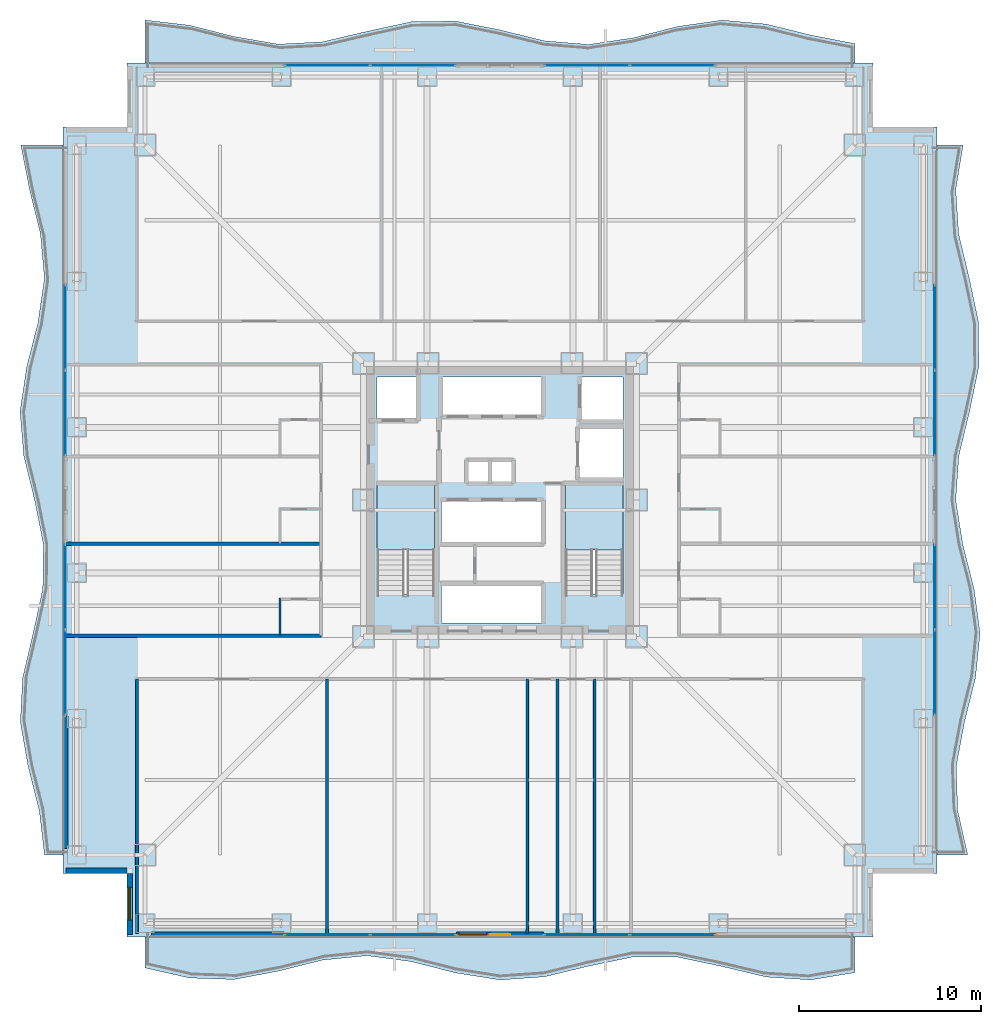
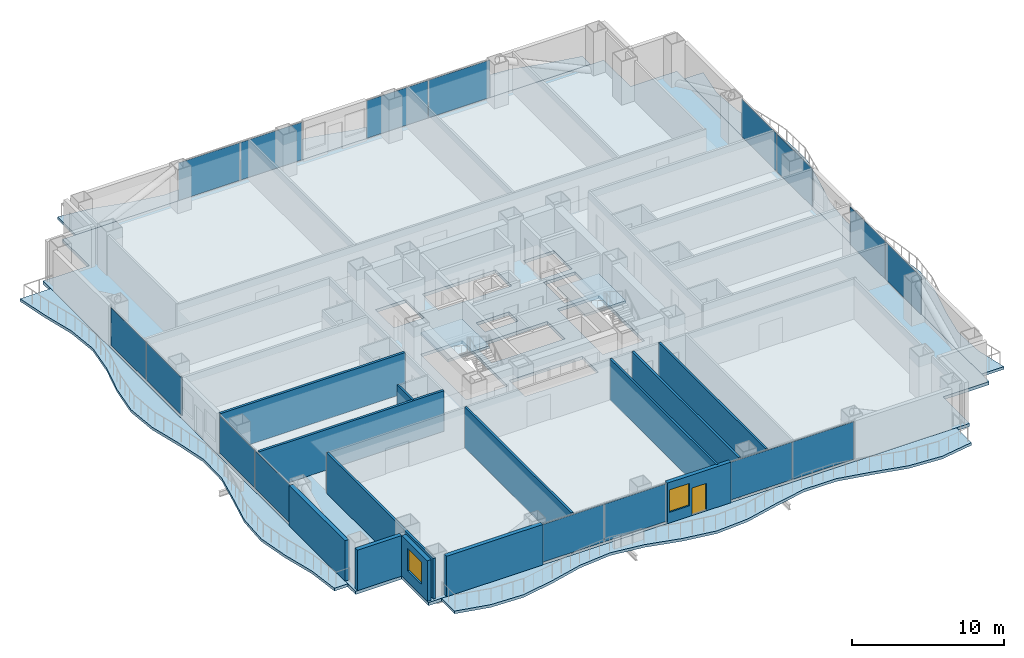
# One storey, part 13 of 24: 16 plates, 13 walls, 7 slabs, 2 windows, 1 door, 3 openings, 10 elements without a shape of their own.
"""IFC4 building model written with IfcOpenShell, lengths in metres."""

from ifc_helpers import new_model, si_unit, direction, frame, frame_2d, origin, origin_2d, place, context, subcontext, project, spatial, polyline, rectangle, outline, extrude, material, layer, layer_set, type_object, element, fill, aggregate, save


model = new_model("IFC4")

# Units and contexts
model_context = context("Model", 3, precision=1e-05, world=origin(), true_north=direction((0.0, 1.0)))
body_context = subcontext(model_context, "Body", "Model", "MODEL_VIEW")
ifc_project = project(units=[si_unit("LENGTHUNIT", "METRE"), si_unit("AREAUNIT", "SQUARE_METRE"), si_unit("VOLUMEUNIT", "CUBIC_METRE"), si_unit("PLANEANGLEUNIT", "RADIAN"), si_unit("MASSUNIT", "GRAM", prefix="KILO")], contexts=[model_context])

# Site, building, storey
site_placement = place(None, origin())
site = spatial("IfcSite", under=ifc_project, at=site_placement, CompositionType="ELEMENT")
building_placement = place(site_placement, origin())
building = spatial("IfcBuilding", under=site, at=building_placement, Name="Trevonay Congress Spire", CompositionType="ELEMENT")
storey_placement = place(building_placement, frame((0.0, 0.0, 55.0)))
storey = spatial("IfcBuildingStorey", under=building, at=storey_placement, Name="L13", CompositionType="ELEMENT", Elevation=55.0)

# Curtain wall, plates
ifc_material_1 = material(Name="Pale Anodised Aluminium EN AW-6063-T6", Category="aluminium")
ifc_layer_1 = layer(ifc_material_1, 0.179931640625, Name="Pale Anodised Aluminium EN AW-6063-T6")
ifc_layer_set_1 = layer_set([ifc_layer_1], Name="Pale Anodised Aluminium EN AW-6063-T6")
curtain_wall_type = type_object("IfcCurtainWallType", Name="CW-SYS02-HOTEL-PALE-METAL", PredefinedType="NOTDEFINED", material=ifc_layer_set_1)
curtain_wall_1_placement = place(storey_placement, origin())
curtain_wall_1 = element("IfcCurtainWall", 1, at=curtain_wall_1_placement, inside=storey, type_object=curtain_wall_type, Name="L13 SA unitised curtain wall", PredefinedType="NOTDEFINED")
ifc_material_2 = material(Name="Insulated Low-E Vision Glass IGU", Category="glass")
ifc_layer_2 = layer(ifc_material_2, 0.035888671875, Name="Insulated Low-E Vision Glass IGU")
ifc_layer_set_2 = layer_set([ifc_layer_2], Name="Insulated Low-E Vision Glass IGU")
plate_type = type_object("IfcPlateType", Name="CW-PANEL-IGU36-SILVER", PredefinedType="CURTAIN_PANEL", material=ifc_layer_set_2)
plate_1_placement = place(storey_placement, frame((-9.472412109375, -23.8798828125, 0.1201171875), z_axis=(0.0, 0.0, 1.0), x_axis=(1.0, 0.0, 0.0)))
plate_1 = element("IfcPlate", 2, at=plate_1_placement, type_object=plate_type, Name="CW02 panel 1.1", PredefinedType="CURTAIN_PANEL", context=body_context, shape_type="SweptSolid", body=[
    extrude(rectangle(XDim=4.635009765625, YDim=0.035888671875, at=origin_2d()), origin(), (0.0, 0.0, 1.0), 3.010009765625),
])
plate_2_placement = place(storey_placement, frame((-4.777587890625, -23.8798828125, 0.1201171875), z_axis=(0.0, 0.0, 1.0), x_axis=(1.0, 0.0, 0.0)))
plate_2 = element("IfcPlate", 3, at=plate_2_placement, type_object=plate_type, Name="CW02 panel 2.1", PredefinedType="CURTAIN_PANEL", context=body_context, shape_type="SweptSolid", body=[
    extrude(rectangle(XDim=4.635009765625, YDim=0.035888671875, at=origin_2d()), origin(), (0.0, 0.0, 1.0), 3.010009765625),
])
aggregate(curtain_wall_1, [plate_1, plate_2])

curtain_wall_2_placement = place(storey_placement, origin())
curtain_wall_2 = element("IfcCurtainWall", 4, at=curtain_wall_2_placement, inside=storey, type_object=curtain_wall_type, Name="L13 SB unitised curtain wall", PredefinedType="NOTDEFINED")
plate_3_placement = place(storey_placement, frame((4.777587890625, -23.8798828125, 0.1201171875), z_axis=(0.0, 0.0, 1.0), x_axis=(1.0, 0.0, 0.0)))
plate_3 = element("IfcPlate", 5, at=plate_3_placement, type_object=plate_type, Name="CW02 panel 1.1", PredefinedType="CURTAIN_PANEL", context=body_context, shape_type="SweptSolid", body=[
    extrude(rectangle(XDim=4.635009765625, YDim=0.035888671875, at=origin_2d()), origin(), (0.0, 0.0, 1.0), 3.010009765625),
])
plate_4_placement = place(storey_placement, frame((9.472412109375, -23.8798828125, 0.1201171875), z_axis=(0.0, 0.0, 1.0), x_axis=(1.0, 0.0, 0.0)))
plate_4 = element("IfcPlate", 6, at=plate_4_placement, type_object=plate_type, Name="CW02 panel 2.1", PredefinedType="CURTAIN_PANEL", context=body_context, shape_type="SweptSolid", body=[
    extrude(rectangle(XDim=4.635009765625, YDim=0.035888671875, at=origin_2d()), origin(), (0.0, 0.0, 1.0), 3.010009765625),
])
aggregate(curtain_wall_2, [plate_3, plate_4])

curtain_wall_3_placement = place(storey_placement, origin())
curtain_wall_3 = element("IfcCurtainWall", 7, at=curtain_wall_3_placement, inside=storey, type_object=curtain_wall_type, Name="L13 NA unitised curtain wall", PredefinedType="NOTDEFINED")
plate_5_placement = place(storey_placement, frame((-9.472412109375, 23.8798828125, 0.1201171875), z_axis=(0.0, 0.0, 1.0), x_axis=(1.0, 0.0, 0.0)))
plate_5 = element("IfcPlate", 8, at=plate_5_placement, type_object=plate_type, Name="CW02 panel 1.1", PredefinedType="CURTAIN_PANEL", context=body_context, shape_type="SweptSolid", body=[
    extrude(rectangle(XDim=4.635009765625, YDim=0.035888671875, at=origin_2d()), origin(), (0.0, 0.0, 1.0), 3.010009765625),
])
plate_6_placement = place(storey_placement, frame((-4.777587890625, 23.8798828125, 0.1201171875), z_axis=(0.0, 0.0, 1.0), x_axis=(1.0, 0.0, 0.0)))
plate_6 = element("IfcPlate", 9, at=plate_6_placement, type_object=plate_type, Name="CW02 panel 2.1", PredefinedType="CURTAIN_PANEL", context=body_context, shape_type="SweptSolid", body=[
    extrude(rectangle(XDim=4.635009765625, YDim=0.035888671875, at=origin_2d()), origin(), (0.0, 0.0, 1.0), 3.010009765625),
])
aggregate(curtain_wall_3, [plate_5, plate_6])

curtain_wall_4_placement = place(storey_placement, origin())
curtain_wall_4 = element("IfcCurtainWall", 10, at=curtain_wall_4_placement, inside=storey, type_object=curtain_wall_type, Name="L13 NB unitised curtain wall", PredefinedType="NOTDEFINED")
plate_7_placement = place(storey_placement, frame((4.777587890625, 23.8798828125, 0.1201171875), z_axis=(0.0, 0.0, 1.0), x_axis=(1.0, 0.0, 0.0)))
plate_7 = element("IfcPlate", 11, at=plate_7_placement, type_object=plate_type, Name="CW02 panel 1.1", PredefinedType="CURTAIN_PANEL", context=body_context, shape_type="SweptSolid", body=[
    extrude(rectangle(XDim=4.635009765625, YDim=0.035888671875, at=origin_2d()), origin(), (0.0, 0.0, 1.0), 3.010009765625),
])
plate_8_placement = place(storey_placement, frame((9.472412109375, 23.8798828125, 0.1201171875), z_axis=(0.0, 0.0, 1.0), x_axis=(1.0, 0.0, 0.0)))
plate_8 = element("IfcPlate", 12, at=plate_8_placement, type_object=plate_type, Name="CW02 panel 2.1", PredefinedType="CURTAIN_PANEL", context=body_context, shape_type="SweptSolid", body=[
    extrude(rectangle(XDim=4.635009765625, YDim=0.035888671875, at=origin_2d()), origin(), (0.0, 0.0, 1.0), 3.010009765625),
])
aggregate(curtain_wall_4, [plate_7, plate_8])

curtain_wall_5_placement = place(storey_placement, origin())
curtain_wall_5 = element("IfcCurtainWall", 13, at=curtain_wall_5_placement, inside=storey, type_object=curtain_wall_type, Name="L13 WA unitised curtain wall", PredefinedType="NOTDEFINED")
plate_9_placement = place(storey_placement, frame((-23.8798828125, -9.472412109375, 0.1201171875), z_axis=(0.0, 0.0, 1.0), x_axis=(0.0, 1.0, 0.0)))
plate_9 = element("IfcPlate", 14, at=plate_9_placement, type_object=plate_type, Name="CW02 panel 1.1", PredefinedType="CURTAIN_PANEL", context=body_context, shape_type="SweptSolid", body=[
    extrude(rectangle(XDim=4.635009765625, YDim=0.035888671875, at=origin_2d()), origin(), (0.0, 0.0, 1.0), 3.010009765625),
])
plate_10_placement = place(storey_placement, frame((-23.8798828125, -4.777587890625, 0.1201171875), z_axis=(0.0, 0.0, 1.0), x_axis=(0.0, 1.0, 0.0)))
plate_10 = element("IfcPlate", 15, at=plate_10_placement, type_object=plate_type, Name="CW02 panel 2.1", PredefinedType="CURTAIN_PANEL", context=body_context, shape_type="SweptSolid", body=[
    extrude(rectangle(XDim=4.635009765625, YDim=0.035888671875, at=origin_2d()), origin(), (0.0, 0.0, 1.0), 3.010009765625),
])
aggregate(curtain_wall_5, [plate_9, plate_10])

curtain_wall_6_placement = place(storey_placement, origin())
curtain_wall_6 = element("IfcCurtainWall", 16, at=curtain_wall_6_placement, inside=storey, type_object=curtain_wall_type, Name="L13 WB unitised curtain wall", PredefinedType="NOTDEFINED")
plate_11_placement = place(storey_placement, frame((-23.8798828125, 4.777587890625, 0.1201171875), z_axis=(0.0, 0.0, 1.0), x_axis=(0.0, 1.0, 0.0)))
plate_11 = element("IfcPlate", 17, at=plate_11_placement, type_object=plate_type, Name="CW02 panel 1.1", PredefinedType="CURTAIN_PANEL", context=body_context, shape_type="SweptSolid", body=[
    extrude(rectangle(XDim=4.635009765625, YDim=0.035888671875, at=origin_2d()), origin(), (0.0, 0.0, 1.0), 3.010009765625),
])
plate_12_placement = place(storey_placement, frame((-23.8798828125, 9.472412109375, 0.1201171875), z_axis=(0.0, 0.0, 1.0), x_axis=(0.0, 1.0, 0.0)))
plate_12 = element("IfcPlate", 18, at=plate_12_placement, type_object=plate_type, Name="CW02 panel 2.1", PredefinedType="CURTAIN_PANEL", context=body_context, shape_type="SweptSolid", body=[
    extrude(rectangle(XDim=4.635009765625, YDim=0.035888671875, at=origin_2d()), origin(), (0.0, 0.0, 1.0), 3.010009765625),
])
aggregate(curtain_wall_6, [plate_11, plate_12])

curtain_wall_7_placement = place(storey_placement, origin())
curtain_wall_7 = element("IfcCurtainWall", 19, at=curtain_wall_7_placement, inside=storey, type_object=curtain_wall_type, Name="L13 EA unitised curtain wall", PredefinedType="NOTDEFINED")
plate_13_placement = place(storey_placement, frame((23.8798828125, -9.472412109375, 0.1201171875), z_axis=(0.0, 0.0, 1.0), x_axis=(0.0, 1.0, 0.0)))
plate_13 = element("IfcPlate", 20, at=plate_13_placement, type_object=plate_type, Name="CW02 panel 1.1", PredefinedType="CURTAIN_PANEL", context=body_context, shape_type="SweptSolid", body=[
    extrude(rectangle(XDim=4.635009765625, YDim=0.035888671875, at=origin_2d()), origin(), (0.0, 0.0, 1.0), 3.010009765625),
])
plate_14_placement = place(storey_placement, frame((23.8798828125, -4.777587890625, 0.1201171875), z_axis=(0.0, 0.0, 1.0), x_axis=(0.0, 1.0, 0.0)))
plate_14 = element("IfcPlate", 21, at=plate_14_placement, type_object=plate_type, Name="CW02 panel 2.1", PredefinedType="CURTAIN_PANEL", context=body_context, shape_type="SweptSolid", body=[
    extrude(rectangle(XDim=4.635009765625, YDim=0.035888671875, at=origin_2d()), origin(), (0.0, 0.0, 1.0), 3.010009765625),
])
aggregate(curtain_wall_7, [plate_13, plate_14])

curtain_wall_8_placement = place(storey_placement, origin())
curtain_wall_8 = element("IfcCurtainWall", 22, at=curtain_wall_8_placement, inside=storey, type_object=curtain_wall_type, Name="L13 EB unitised curtain wall", PredefinedType="NOTDEFINED")
plate_15_placement = place(storey_placement, frame((23.8798828125, 4.777587890625, 0.1201171875), z_axis=(0.0, 0.0, 1.0), x_axis=(0.0, 1.0, 0.0)))
plate_15 = element("IfcPlate", 23, at=plate_15_placement, type_object=plate_type, Name="CW02 panel 1.1", PredefinedType="CURTAIN_PANEL", context=body_context, shape_type="SweptSolid", body=[
    extrude(rectangle(XDim=4.635009765625, YDim=0.035888671875, at=origin_2d()), origin(), (0.0, 0.0, 1.0), 3.010009765625),
])
plate_16_placement = place(storey_placement, frame((23.8798828125, 9.472412109375, 0.1201171875), z_axis=(0.0, 0.0, 1.0), x_axis=(0.0, 1.0, 0.0)))
plate_16 = element("IfcPlate", 24, at=plate_16_placement, type_object=plate_type, Name="CW02 panel 2.1", PredefinedType="CURTAIN_PANEL", context=body_context, shape_type="SweptSolid", body=[
    extrude(rectangle(XDim=4.635009765625, YDim=0.035888671875, at=origin_2d()), origin(), (0.0, 0.0, 1.0), 3.010009765625),
])
aggregate(curtain_wall_8, [plate_15, plate_16])

# Stair, slab
ifc_material_3 = material(Name="Concrete C40/50", Category="concrete")
stair_type_1 = type_object("IfcStairType", Name="STR-ST-1", PredefinedType="HALF_TURN_STAIR", material=ifc_material_3)
stair_1_placement = place(storey_placement, origin())
stair_1 = element("IfcStair", 25, at=stair_1_placement, inside=storey, type_object=stair_type_1, Name="L13 Protected Exit Stair ST-1", PredefinedType="HALF_TURN_STAIR")
ifc_layer_3 = layer(ifc_material_3, 0.199951171875, Name="Concrete C40/50")
ifc_layer_set_3 = layer_set([ifc_layer_3], Name="Concrete C40/50")
slab_type_1 = type_object("IfcSlabType", Name="SLB-STAIR-LAND-200", PredefinedType="LANDING", material=ifc_layer_set_3)
slab_1_placement = place(storey_placement, frame((0.0, 0.0, 1.550048828125)))
slab_1 = element("IfcSlab", 26, at=slab_1_placement, type_object=slab_type_1, Name="ST-1 landing 1", PredefinedType="LANDING", context=body_context, shape_type="SweptSolid", body=[
    extrude(outline(polyline([(-3.60009765625, -2.72998046875), (-3.60009765625, 0.85009765625), (-6.75, 0.85009765625), (-6.75, -2.72998046875), (-3.60009765625, -2.72998046875)])), origin(), (0.0, 0.0, 1.0), 0.199951171875),
])
aggregate(stair_1, [slab_1])

stair_type_2 = type_object("IfcStairType", Name="STR-ST-2", PredefinedType="HALF_TURN_STAIR", material=ifc_material_3)
stair_2_placement = place(storey_placement, origin())
stair_2 = element("IfcStair", 27, at=stair_2_placement, inside=storey, type_object=stair_type_2, Name="L13 Protected Exit Stair ST-2", PredefinedType="HALF_TURN_STAIR")
slab_2_placement = place(storey_placement, frame((0.0, 0.0, 1.550048828125)))
slab_2 = element("IfcSlab", 28, at=slab_2_placement, type_object=slab_type_1, Name="ST-2 landing 1", PredefinedType="LANDING", context=body_context, shape_type="SweptSolid", body=[
    extrude(outline(polyline([(6.75, -2.72998046875), (6.75, 0.85009765625), (3.60009765625, 0.85009765625), (3.60009765625, -2.72998046875), (6.75, -2.72998046875)])), origin(), (0.0, 0.0, 1.0), 0.199951171875),
])
aggregate(stair_2, [slab_2])

# Slabs
ifc_layer_4 = layer(ifc_material_3, 0.25, Name="Concrete C40/50")
ifc_layer_set_4 = layer_set([ifc_layer_4], Name="Concrete C40/50")
slab_type_2 = type_object("IfcSlabType", Name="SLB-TOW1-250", PredefinedType="FLOOR", material=ifc_layer_set_4)
slab_3_placement = place(storey_placement, frame((0.0, 0.0, -0.25)))
element("IfcSlab", 29, at=slab_3_placement, inside=storey, type_object=slab_type_2, Name="L13 structural floor slab", PredefinedType="FLOOR", context=body_context, shape_type="SweptSolid", body=[
    extrude(outline(polyline([(-20.5, -24.0), (20.5, -24.0), (20.5, -20.5), (24.0, -20.5), (24.0, 20.5), (20.5, 20.5), (20.5, 24.0), (-20.5, 24.0), (-20.5, 20.5), (-24.0, 20.5), (-24.0, -20.5), (-20.5, -20.5), (-20.5, -24.0)]), holes=[polyline([(-3.60009765625, -5.14990234375), (-3.60009765625, 0.85009765625), (-6.75, 0.85009765625), (-6.75, -5.14990234375), (-3.60009765625, -5.14990234375)]), polyline([(6.75, -5.14990234375), (6.75, 0.85009765625), (3.60009765625, 0.85009765625), (3.60009765625, -5.14990234375), (6.75, -5.14990234375)]), polyline([(-3.199951171875, -6.75), (2.340087890625, -6.75), (2.340087890625, -4.64990234375), (-3.199951171875, -4.64990234375), (-3.199951171875, -6.75)]), polyline([(-3.199951171875, -2.35009765625), (2.340087890625, -2.35009765625), (2.340087890625, -0.050048828125), (-3.199951171875, -0.050048828125), (-3.199951171875, -2.35009765625)]), polyline([(-3.199951171875, 4.64990234375), (2.340087890625, 4.64990234375), (2.340087890625, 6.75), (-3.199951171875, 6.75), (-3.199951171875, 4.64990234375)]), polyline([(-6.75, 4.35009765625), (-4.449951171875, 4.35009765625), (-4.449951171875, 6.75), (-6.75, 6.75), (-6.75, 4.35009765625)]), polyline([(4.449951171875, 4.35009765625), (6.75, 4.35009765625), (6.75, 6.75), (4.449951171875, 6.75), (4.449951171875, 4.35009765625)]), polyline([(4.35009765625, 1.199951171875), (6.75, 1.199951171875), (6.75, 3.949951171875), (4.35009765625, 3.949951171875), (4.35009765625, 1.199951171875)]), polyline([(-1.800048828125, 0.949951171875), (0.699951171875, 0.949951171875), (0.699951171875, 2.14990234375), (-1.800048828125, 2.14990234375), (-1.800048828125, 0.949951171875)])]), origin(), (0.0, 0.0, 1.0), 0.25),
])
ifc_layer_5 = layer(ifc_material_3, 0.219970703125, Name="Concrete C40/50")
ifc_layer_set_5 = layer_set([ifc_layer_5], Name="Concrete C40/50")
slab_type_3 = type_object("IfcSlabType", Name="SLB-WAVE-220", PredefinedType="FLOOR", material=ifc_layer_set_5)
slab_4_placement = place(storey_placement, frame((0.0, 0.0, -0.219970703125)))
element("IfcSlab", 30, at=slab_4_placement, inside=storey, type_object=slab_type_3, Name="L13 sinusoidal louvre-balcony deck S", PredefinedType="FLOOR", context=body_context, shape_type="SweptSolid", body=[
    extrude(outline(polyline([(-19.5, -25.699951171875), (-17.06201171875, -26.251953125), (-14.625, -26.3359375), (-12.18798828125, -25.8798828125), (-9.75, -25.27197265625), (-7.31201171875, -25.027099609375), (-4.875, -25.35302734375), (-2.43798828125, -25.972900390625), (0.0, -26.362060546875), (2.43798828125, -26.18896484375), (4.875, -25.60107421875), (7.31201171875, -25.096923828125), (9.75, -25.10498046875), (12.18798828125, -25.617919921875), (14.625, -26.199951171875), (17.06201171875, -26.35888671875), (19.5, -25.9580078125), (19.5, -24.0), (17.06201171875, -24.0), (14.625, -24.0), (12.18798828125, -24.0), (9.75, -24.0), (7.31201171875, -24.0), (4.875, -24.0), (2.43798828125, -24.0), (0.0, -24.0), (-2.43798828125, -24.0), (-4.875, -24.0), (-7.31201171875, -24.0), (-9.75, -24.0), (-12.18798828125, -24.0), (-14.625, -24.0), (-17.06201171875, -24.0), (-19.5, -24.0), (-19.5, -25.699951171875)])), origin(), (0.0, 0.0, 1.0), 0.219970703125),
])
slab_5_placement = place(storey_placement, frame((0.0, 0.0, -0.219970703125)))
element("IfcSlab", 31, at=slab_5_placement, inside=storey, type_object=slab_type_3, Name="L13 sinusoidal louvre-balcony deck N", PredefinedType="FLOOR", context=body_context, shape_type="SweptSolid", body=[
    extrude(outline(polyline([(-19.5, 24.0), (-17.06201171875, 24.0), (-14.625, 24.0), (-12.18798828125, 24.0), (-9.75, 24.0), (-7.31201171875, 24.0), (-4.875, 24.0), (-2.43798828125, 24.0), (0.0, 24.0), (2.43798828125, 24.0), (4.875, 24.0), (7.31201171875, 24.0), (9.75, 24.0), (12.18798828125, 24.0), (14.625, 24.0), (17.06201171875, 24.0), (19.5, 24.0), (19.5, 25.075927734375), (17.06201171875, 25.552001953125), (14.625, 26.153076171875), (12.18798828125, 26.3701171875), (9.75, 26.01806640625), (7.31201171875, 25.39599609375), (4.875, 25.031982421875), (2.43798828125, 25.23388671875), (0.0, 25.83203125), (-2.43798828125, 26.31689453125), (-4.875, 26.279052734375), (-7.31201171875, 25.75), (-9.75, 25.177978515625), (-12.18798828125, 25.049072265625), (-14.625, 25.472900390625), (-17.06201171875, 26.089111328125), (-19.5, 26.375), (-19.5, 24.0)])), origin(), (0.0, 0.0, 1.0), 0.219970703125),
])
slab_6_placement = place(storey_placement, frame((0.0, 0.0, -0.219970703125)))
element("IfcSlab", 32, at=slab_6_placement, inside=storey, type_object=slab_type_3, Name="L13 sinusoidal louvre-balcony deck E", PredefinedType="FLOOR", context=body_context, shape_type="SweptSolid", body=[
    extrude(outline(polyline([(25.699951171875, -19.5), (25.14794921875, -17.06201171875), (25.06396484375, -14.625), (25.52001953125, -12.18798828125), (26.1279296875, -9.75), (26.373046875, -7.31201171875), (26.047119140625, -4.875), (25.427001953125, -2.43798828125), (25.0380859375, 0.0), (25.2109375, 2.43798828125), (25.799072265625, 4.875), (26.302978515625, 7.31201171875), (26.294921875, 9.75), (25.781982421875, 12.18798828125), (25.199951171875, 14.625), (25.041015625, 17.06201171875), (25.44189453125, 19.5), (24.0, 19.5), (24.0, 17.06201171875), (24.0, 14.625), (24.0, 12.18798828125), (24.0, 9.75), (24.0, 7.31201171875), (24.0, 4.875), (24.0, 2.43798828125), (24.0, 0.0), (24.0, -2.43798828125), (24.0, -4.875), (24.0, -7.31201171875), (24.0, -9.75), (24.0, -12.18798828125), (24.0, -14.625), (24.0, -17.06201171875), (24.0, -19.5), (25.699951171875, -19.5)])), origin(), (0.0, 0.0, 1.0), 0.219970703125),
])
slab_7_placement = place(storey_placement, frame((0.0, 0.0, -0.219970703125)))
element("IfcSlab", 33, at=slab_7_placement, inside=storey, type_object=slab_type_3, Name="L13 sinusoidal louvre-balcony deck W", PredefinedType="FLOOR", context=body_context, shape_type="SweptSolid", body=[
    extrude(outline(polyline([(-24.0, -19.5), (-24.0, -17.06201171875), (-24.0, -14.625), (-24.0, -12.18798828125), (-24.0, -9.75), (-24.0, -7.31201171875), (-24.0, -4.875), (-24.0, -2.43798828125), (-24.0, 0.0), (-24.0, 2.43798828125), (-24.0, 4.875), (-24.0, 7.31201171875), (-24.0, 9.75), (-24.0, 12.18798828125), (-24.0, 14.625), (-24.0, 17.06201171875), (-24.0, 19.5), (-26.323974609375, 19.5), (-25.847900390625, 17.06201171875), (-25.2470703125, 14.625), (-25.030029296875, 12.18798828125), (-25.382080078125, 9.75), (-26.00390625, 7.31201171875), (-26.367919921875, 4.875), (-26.166015625, 2.43798828125), (-25.568115234375, 0.0), (-25.0830078125, -2.43798828125), (-25.12109375, -4.875), (-25.64990234375, -7.31201171875), (-26.221923828125, -9.75), (-26.35107421875, -12.18798828125), (-25.927001953125, -14.625), (-25.31103515625, -17.06201171875), (-25.02490234375, -19.5), (-24.0, -19.5)])), origin(), (0.0, 0.0, 1.0), 0.219970703125),
])

# Walls
ifc_layer_6 = layer(ifc_material_3, 0.1201171875, Name="Concrete C40/50")
ifc_layer_set_6 = layer_set([ifc_layer_6], Name="Concrete C40/50")
wall_type_1 = type_object("IfcWallType", Name="WAL-BATH-120", PredefinedType="PLUMBINGWALL", material=ifc_layer_set_6)
wall_1_placement = place(storey_placement, frame((-12.080078125, -7.419921875, 0.0), z_axis=(0.0, 0.0, 1.0), x_axis=(0.0, 1.0, 0.0)))
element("IfcWall", 34, at=wall_1_placement, inside=storey, type_object=wall_type_1, Name="L13 interior wall WH-L13W-BF1", PredefinedType="PLUMBINGWALL", context=body_context, shape_type="SweptSolid", body=[
    extrude(rectangle(XDim=2.0078125, YDim=0.1201171875, at=frame_2d((1.00390625, 0.0))), origin(), (0.0, 0.0, 1.0), 3.25),
])
ifc_material_4 = material(Name="Precast concrete C40/50", Category="concrete")
ifc_layer_7 = layer(ifc_material_4, 0.300048828125, Name="Precast concrete C40/50")
ifc_layer_set_7 = layer_set([ifc_layer_7], Name="Precast concrete C40/50")
wall_type_2 = type_object("IfcWallType", Name="WAL-EXT-PRECAST-300", PredefinedType="SOLIDWALL", material=ifc_layer_set_7)
wall_2_placement = place(storey_placement, frame((-19.14990234375, -23.8798828125, 0.0), z_axis=(0.0, 0.0, 1.0), x_axis=(1.0, 0.0, 0.0)))
element("IfcWall", 35, at=wall_2_placement, inside=storey, type_object=wall_type_2, Name="L13 SL braced-bay exterior pier wall", PredefinedType="SOLIDWALL", context=body_context, shape_type="SweptSolid", body=[
    extrude(rectangle(XDim=7.2998046875, YDim=0.300048828125, at=frame_2d((3.64990234375, 0.0))), origin(), (0.0, 0.0, 1.0), 3.25),
])

# Wall, openings, door, window
wall_3_placement = place(storey_placement, frame((-2.39990234375, -23.8798828125, 0.0), z_axis=(0.0, 0.0, 1.0), x_axis=(1.0, 0.0, 0.0)))
wall_3 = element("IfcWall", 36, at=wall_3_placement, inside=storey, type_object=wall_type_2, Name="L13 S glazed balcony portal exterior wall", PredefinedType="SOLIDWALL", context=body_context, shape_type="SweptSolid", body=[
    extrude(rectangle(XDim=4.7998046875, YDim=0.300048828125, at=frame_2d((2.39990234375, 0.0))), origin(), (0.0, 0.0, 1.0), 3.25),
])
opening_1_placement = place(wall_3_placement, frame((1.85009765625, 0.0, 0.0)))
opening_1 = element("IfcOpeningElement", 37, at=opening_1_placement, cuts=wall_3, Name="Opening D03", PredefinedType="OPENING", context=body_context, shape_type="SweptSolid", body=[
    extrude(rectangle(XDim=1.10009765625, YDim=2.199951171875, at=frame_2d((0.550048828125, 1.10009765625))), frame((0.0, 0.16015625, 0.0), z_axis=(0.0, -1.0, 0.0), x_axis=(1.0, 0.0, 0.0)), (0.0, 0.0, 1.0), 0.320068359375),
])
opening_2_placement = place(wall_3_placement, frame((0.14990234375, 0.0, 0.85009765625)))
opening_2 = element("IfcOpeningElement", 38, at=opening_2_placement, cuts=wall_3, Name="Opening WN03", PredefinedType="OPENING", context=body_context, shape_type="SweptSolid", body=[
    extrude(rectangle(XDim=1.5, YDim=1.800048828125, at=frame_2d((0.75, 0.89990234375))), frame((0.0, 0.16015625, 0.0), z_axis=(0.0, -1.0, 0.0), x_axis=(1.0, 0.0, 0.0)), (0.0, 0.0, 1.0), 0.320068359375),
])
door_type = type_object("IfcDoorType", Name="DOR-EXT-BAL-110", OperationType="NOTDEFINED", PredefinedType="DOOR", material=ifc_material_1)
door_placement = place(opening_1_placement, origin())
door = element("IfcDoor", 39, at=door_placement, inside=storey, type_object=door_type, Name="L13 S glazed outdoor terrace and balcony door", OperationType="SINGLE_SWING_LEFT", OverallHeight=2.199951171875, OverallWidth=1.10009765625, PredefinedType="DOOR", context=body_context, shape_type="SweptSolid", body=[
    extrude(rectangle(XDim=1.10009765625, YDim=2.199951171875, at=frame_2d((0.550048828125, 1.10009765625))), frame((0.0, 0.02490234375, 0.0), z_axis=(0.0, -1.0, 0.0), x_axis=(1.0, 0.0, 0.0)), (0.0, 0.0, 1.0), 0.050048828125),
])
fill(opening_1, door)
window_type_1 = type_object("IfcWindowType", Name="WIN-NOTCH-150X180", PartitioningType="SINGLE_PANEL", PredefinedType="WINDOW", material=ifc_material_2)
window_1_placement = place(opening_2_placement, origin())
window_1 = element("IfcWindow", 40, at=window_1_placement, inside=storey, type_object=window_type_1, Name="L13 S balcony sidelight window L", OverallHeight=1.800048828125, OverallWidth=1.5, PartitioningType="SINGLE_PANEL", PredefinedType="WINDOW", context=body_context, shape_type="SweptSolid", body=[
    extrude(rectangle(XDim=1.5, YDim=1.800048828125, at=frame_2d((0.75, 0.89990234375))), frame((0.0, 0.030029296875, 0.0), z_axis=(0.0, -1.0, 0.0), x_axis=(1.0, 0.0, 0.0)), (0.0, 0.0, 1.0), 0.06005859375),
])
fill(opening_2, window_1)

# Wall
wall_4_placement = place(storey_placement, frame((-23.8798828125, -19.14990234375, 0.0), z_axis=(0.0, 0.0, 1.0), x_axis=(0.0, 1.0, 0.0)))
element("IfcWall", 41, at=wall_4_placement, inside=storey, type_object=wall_type_2, Name="L13 WL braced-bay exterior pier wall", PredefinedType="SOLIDWALL", context=body_context, shape_type="SweptSolid", body=[
    extrude(rectangle(XDim=7.2998046875, YDim=0.300048828125, at=frame_2d((3.64990234375, 0.0))), origin(), (0.0, 0.0, 1.0), 3.25),
])

# Wall, opening, window
wall_5_placement = place(storey_placement, frame((-20.35009765625, -23.85009765625, 0.0), z_axis=(0.0, 0.0, 1.0), x_axis=(0.0, 1.0, 0.0)))
wall_5 = element("IfcWall", 42, at=wall_5_placement, inside=storey, type_object=wall_type_2, Name="L13 SW re-entrant notch exterior wall 1", PredefinedType="SOLIDWALL", context=body_context, shape_type="SweptSolid", body=[
    extrude(rectangle(XDim=3.35009765625, YDim=0.300048828125, at=frame_2d((1.675048828125, 0.0))), origin(), (0.0, 0.0, 1.0), 3.25),
])
opening_3_placement = place(wall_5_placement, frame((0.77490234375, 0.0, 0.89990234375)))
opening_3 = element("IfcOpeningElement", 43, at=opening_3_placement, cuts=wall_5, Name="Opening WN01", PredefinedType="OPENING", context=body_context, shape_type="SweptSolid", body=[
    extrude(rectangle(XDim=1.800048828125, YDim=1.800048828125, at=frame_2d((0.89990234375, 0.89990234375))), frame((0.0, 0.16015625, 0.0), z_axis=(0.0, -1.0, 0.0), x_axis=(1.0, 0.0, 0.0)), (0.0, 0.0, 1.0), 0.320068359375),
])
window_type_2 = type_object("IfcWindowType", Name="WIN-HOTEL-180X180", PartitioningType="SINGLE_PANEL", PredefinedType="WINDOW", material=ifc_material_2)
window_2_placement = place(opening_3_placement, origin())
window_2 = element("IfcWindow", 44, at=window_2_placement, inside=storey, type_object=window_type_2, Name="L13 SW corner notch window", OverallHeight=1.800048828125, OverallWidth=1.800048828125, PartitioningType="SINGLE_PANEL", PredefinedType="WINDOW", context=body_context, shape_type="SweptSolid", body=[
    extrude(rectangle(XDim=1.800048828125, YDim=1.800048828125, at=frame_2d((0.89990234375, 0.89990234375))), frame((0.0, 0.030029296875, 0.0), z_axis=(0.0, -1.0, 0.0), x_axis=(1.0, 0.0, 0.0)), (0.0, 0.0, 1.0), 0.06005859375),
])
fill(opening_3, window_2)

# Walls
wall_6_placement = place(storey_placement, frame((-23.85009765625, -20.35009765625, 0.0), z_axis=(0.0, 0.0, 1.0), x_axis=(1.0, 0.0, 0.0)))
element("IfcWall", 45, at=wall_6_placement, inside=storey, type_object=wall_type_2, Name="L13 SW re-entrant notch exterior wall 2", PredefinedType="SOLIDWALL", context=body_context, shape_type="SweptSolid", body=[
    extrude(rectangle(XDim=3.35009765625, YDim=0.300048828125, at=frame_2d((1.675048828125, 0.0))), origin(), (0.0, 0.0, 1.0), 3.25),
])
ifc_layer_8 = layer(ifc_material_3, 0.179931640625, Name="Concrete C40/50")
ifc_layer_set_8 = layer_set([ifc_layer_8], Name="Concrete C40/50")
wall_type_3 = type_object("IfcWallType", Name="WAL-HOTEL-180", PredefinedType="PARTITIONING", material=ifc_layer_set_8)
for number, where, z_axis, x_axis, name in (
    (46, (-23.820068359375, -7.449951171875, 0.0), (0.0, 0.0, 1.0), (1.0, 0.0, 0.0), "L13 interior wall WH-L13W-DIV1"),
    (47, (-23.820068359375, -2.39990234375, 0.0), (0.0, 0.0, 1.0), (1.0, 0.0, 0.0), "L13 interior wall WH-L13W-DIV2"),
):
    element("IfcWall", number, at=place(storey_placement, frame(where, z_axis=z_axis, x_axis=x_axis)), inside=storey, type_object=wall_type_3, Name=name, PredefinedType="PARTITIONING", context=body_context, shape_type="SweptSolid", body=[
        extrude(rectangle(XDim=13.989990234375, YDim=0.179931640625, at=frame_2d((6.9951171875, 0.0))), origin(), (0.0, 0.0, 1.0), 3.25),
    ])
ifc_layer_9 = layer(ifc_material_3, 0.14990234375, Name="Concrete C40/50")
ifc_layer_set_9 = layer_set([ifc_layer_9], Name="Concrete C40/50")
wall_type_4 = type_object("IfcWallType", Name="WAL-PART-150", PredefinedType="PARTITIONING", material=ifc_layer_set_9)
for number, where, z_axis, x_axis, name in (
    (48, (1.5, -23.820068359375, 0.0), (0.0, 0.0, 1.0), (0.0, 1.0, 0.0), "L13 interior wall WP-L13S-DIV3"),
    (49, (5.199951171875, -23.820068359375, 0.0), (0.0, 0.0, 1.0), (0.0, 1.0, 0.0), "L13 interior wall WP-L13S-DIV4"),
):
    element("IfcWall", number, at=place(storey_placement, frame(where, z_axis=z_axis, x_axis=x_axis)), inside=storey, type_object=wall_type_4, Name=name, PredefinedType="PARTITIONING", context=body_context, shape_type="SweptSolid", body=[
        extrude(rectangle(XDim=13.989990234375, YDim=0.14990234375, at=frame_2d((6.9951171875, 0.0))), origin(), (0.0, 0.0, 1.0), 3.25),
    ])
ifc_layer_10 = layer(ifc_material_3, 0.1650390625, Name="Concrete C40/50")
ifc_layer_set_10 = layer_set([ifc_layer_10], Name="Concrete C40/50")
wall_type_5 = type_object("IfcWallType", Name="WAL-WET-165", PredefinedType="PLUMBINGWALL", material=ifc_layer_set_10)
for number, where, z_axis, x_axis, name in (
    (50, (3.169921875, -23.820068359375, 0.0), (0.0, 0.0, 1.0), (0.0, 1.0, 0.0), "L13 interior wall WP-L13S-WCS3"),
    (51, (-19.949951171875, -23.820068359375, 0.0), (0.0, 0.0, 1.0), (0.0, 1.0, 0.0), "L13 interior wall WP-L13S-DIV1"),
    (52, (-9.5, -23.820068359375, 0.0), (0.0, 0.0, 1.0), (0.0, 1.0, 0.0), "L13 interior wall WP-L13S-DIV2"),
):
    element("IfcWall", number, at=place(storey_placement, frame(where, z_axis=z_axis, x_axis=x_axis)), inside=storey, type_object=wall_type_5, Name=name, PredefinedType="PLUMBINGWALL", context=body_context, shape_type="SweptSolid", body=[
        extrude(rectangle(XDim=13.989990234375, YDim=0.1650390625, at=frame_2d((6.9951171875, 0.0))), origin(), (0.0, 0.0, 1.0), 3.25),
    ])

save(model, "model.ifc")
